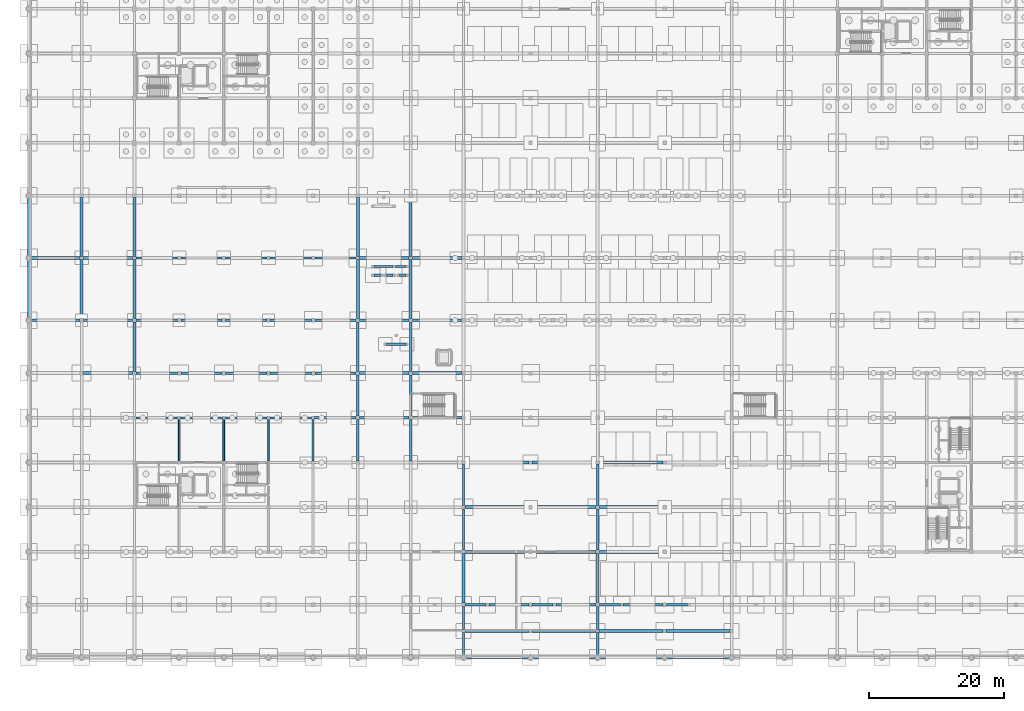
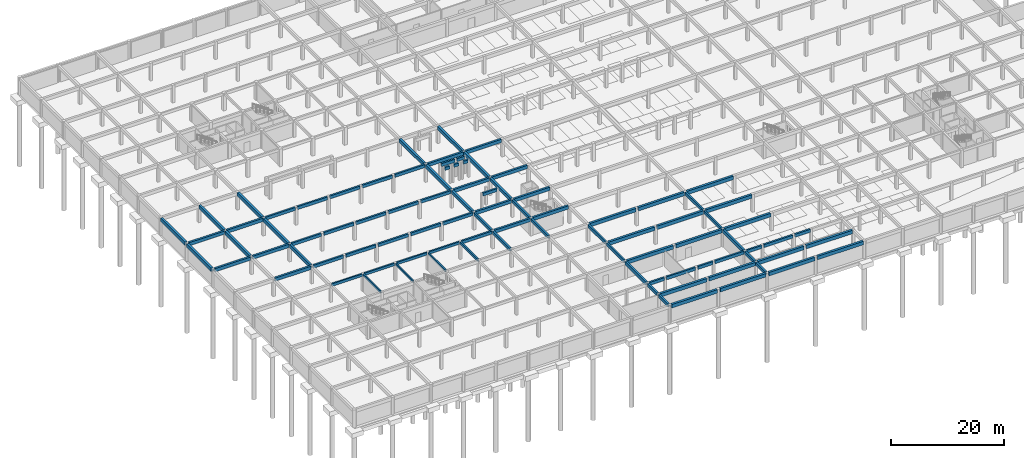
# One storey, part 16 of 37: 94 beams.
"""IFC4 building model written with IfcOpenShell, lengths in metres."""

from ifc_helpers import new_model, si_unit, direction, frame, origin, origin_2d, place, context, subcontext, project, spatial, rectangle, extrude, material, material_profile, profile_set, type_object, element, save


model = new_model("IFC4")

# Units and contexts
model_context = context("Model", 3, precision=1e-05, world=origin(), true_north=direction((0.0, 1.0)))
body_context = subcontext(model_context, "Body", "Model", "MODEL_VIEW")
ifc_project = project(units=[si_unit("LENGTHUNIT", "METRE"), si_unit("AREAUNIT", "SQUARE_METRE"), si_unit("VOLUMEUNIT", "CUBIC_METRE"), si_unit("PLANEANGLEUNIT", "RADIAN"), si_unit("MASSUNIT", "GRAM", prefix="KILO")], contexts=[model_context])

# Site, building, storey
site_placement = place(None, origin())
site = spatial("IfcSite", under=ifc_project, at=site_placement, CompositionType="ELEMENT")
building_placement = place(site_placement, origin())
building = spatial("IfcBuilding", under=site, at=building_placement, Name="Kernevlak Ridge Housing Community", CompositionType="ELEMENT")
storey_placement = place(building_placement, frame((0.0, 0.0, -3.800048828125)))
storey = spatial("IfcBuildingStorey", under=building, at=storey_placement, Name="B1", CompositionType="ELEMENT", Elevation=-3.800048828125)

# Beams
ifc_material = material(Name="Concrete C35/45", Category="concrete")
ifc_material_profile_1 = material_profile(ifc_material, rectangle(XDim=0.39990234375, YDim=0.699951171875, at=origin_2d()), Name="RC 400x700")
ifc_profile_set_1 = profile_set([ifc_material_profile_1], Name="Concrete C35/45")
beam_type_1 = type_object("IfcBeamType", Name="B-01", PredefinedType="BEAM", material=ifc_profile_set_1)
beam_1_placement = place(storey_placement, frame((48.85009765625, 35.39990234375, 3.449951171875), z_axis=(1.0, 0.0, 0.0), x_axis=(0.0, 1.0, 0.0)))
element("IfcBeam", 1, at=beam_1_placement, inside=storey, type_object=beam_type_1, Name="Beam B-01 B1 1630", PredefinedType="BEAM", context=body_context, shape_type="SweptSolid", body=[
    extrude(rectangle(XDim=0.39990234375, YDim=0.699951171875, at=origin_2d()), origin(), (0.0, 0.0, 1.0), 7.2998046875),
])
for number, where, z_axis, x_axis, name in (
    (2, (56.64990234375, 35.39990234375, 3.449951171875), (1.0, 0.0, 0.0), (0.0, 1.0, 0.0), "Beam B-01 B1 1631"),
    (3, (8.050048828125, 42.0, 3.449951171875), (1.0, 0.0, 0.0), (0.0, 1.0, 0.0), "Beam B-01 B1 1642"),
):
    element("IfcBeam", number, at=place(storey_placement, frame(where, z_axis=z_axis, x_axis=x_axis)), inside=storey, type_object=beam_type_1, Name=name, PredefinedType="BEAM", context=body_context, shape_type="SweptSolid", body=[
        extrude(rectangle(XDim=0.39990234375, YDim=0.699951171875, at=origin_2d()), origin(), (0.0, 0.0, 1.0), 7.300048828125),
    ])
beam_2_placement = place(storey_placement, frame((48.85009765625, 42.0, 3.449951171875), z_axis=(1.0, 0.0, 0.0), x_axis=(0.0, 1.0, 0.0)))
element("IfcBeam", 4, at=beam_2_placement, inside=storey, type_object=beam_type_1, Name="Beam B-01 B1 1648", PredefinedType="BEAM", context=body_context, shape_type="SweptSolid", body=[
    extrude(rectangle(XDim=0.39990234375, YDim=0.699951171875, at=origin_2d()), origin(), (0.0, 0.0, 1.0), 7.2998046875),
])
beam_3_placement = place(storey_placement, frame((56.64990234375, 42.0, 3.449951171875), z_axis=(1.0, 0.0, 0.0), x_axis=(0.0, 1.0, 0.0)))
element("IfcBeam", 5, at=beam_3_placement, inside=storey, type_object=beam_type_1, Name="Beam B-01 B1 1649", PredefinedType="BEAM", context=body_context, shape_type="SweptSolid", body=[
    extrude(rectangle(XDim=0.39990234375, YDim=0.699951171875, at=origin_2d()), origin(), (0.0, 0.0, 1.0), 7.300048828125),
])
beam_4_placement = place(storey_placement, frame((0.300048828125, 49.800048828125, 3.449951171875), z_axis=(1.0, 0.0, 0.0), x_axis=(0.0, 1.0, 0.0)))
element("IfcBeam", 6, at=beam_4_placement, inside=storey, type_object=beam_type_1, Name="Beam B-01 B1 1660", PredefinedType="BEAM", context=body_context, shape_type="SweptSolid", body=[
    extrude(rectangle(XDim=0.39990234375, YDim=0.699951171875, at=origin_2d()), origin(), (0.0, 0.0, 1.0), 7.25),
])
beam_5_placement = place(storey_placement, frame((8.050048828125, 49.800048828125, 3.449951171875), z_axis=(1.0, 0.0, 0.0), x_axis=(0.0, 1.0, 0.0)))
element("IfcBeam", 7, at=beam_5_placement, inside=storey, type_object=beam_type_1, Name="Beam B-01 B1 1661", PredefinedType="BEAM", context=body_context, shape_type="SweptSolid", body=[
    extrude(rectangle(XDim=0.39990234375, YDim=0.699951171875, at=origin_2d()), origin(), (0.0, 0.0, 1.0), 7.300048828125),
])
beam_6_placement = place(storey_placement, frame((48.85009765625, 49.800048828125, 3.449951171875), z_axis=(1.0, 0.0, 0.0), x_axis=(0.0, 1.0, 0.0)))
element("IfcBeam", 8, at=beam_6_placement, inside=storey, type_object=beam_type_1, Name="Beam B-01 B1 1667", PredefinedType="BEAM", context=body_context, shape_type="SweptSolid", body=[
    extrude(rectangle(XDim=0.39990234375, YDim=0.699951171875, at=origin_2d()), origin(), (0.0, 0.0, 1.0), 7.2998046875),
])
beam_7_placement = place(storey_placement, frame((56.64990234375, 49.800048828125, 3.449951171875), z_axis=(1.0, 0.0, 0.0), x_axis=(0.0, 1.0, 0.0)))
element("IfcBeam", 9, at=beam_7_placement, inside=storey, type_object=beam_type_1, Name="Beam B-01 B1 1668", PredefinedType="BEAM", context=body_context, shape_type="SweptSolid", body=[
    extrude(rectangle(XDim=0.39990234375, YDim=0.699951171875, at=origin_2d()), origin(), (0.0, 0.0, 1.0), 7.275146484375),
])
beam_8_placement = place(storey_placement, frame((0.300048828125, 59.0, 3.449951171875), z_axis=(1.0, 0.0, 0.0), x_axis=(0.0, 1.0, 0.0)))
element("IfcBeam", 10, at=beam_8_placement, inside=storey, type_object=beam_type_1, Name="Beam B-01 B1 1690", PredefinedType="BEAM", context=body_context, shape_type="SweptSolid", body=[
    extrude(rectangle(XDim=0.39990234375, YDim=0.699951171875, at=origin_2d()), origin(), (0.0, 0.0, 1.0), 7.25),
])
beam_9_placement = place(storey_placement, frame((8.050048828125, 59.0, 3.449951171875), z_axis=(1.0, 0.0, 0.0), x_axis=(0.0, 1.0, 0.0)))
element("IfcBeam", 11, at=beam_9_placement, inside=storey, type_object=beam_type_1, Name="Beam B-01 B1 1691", PredefinedType="BEAM", context=body_context, shape_type="SweptSolid", body=[
    extrude(rectangle(XDim=0.39990234375, YDim=0.699951171875, at=origin_2d()), origin(), (0.0, 0.0, 1.0), 7.300048828125),
])
beam_10_placement = place(storey_placement, frame((48.85009765625, 59.0, 3.449951171875), z_axis=(1.0, 0.0, 0.0), x_axis=(0.0, 1.0, 0.0)))
element("IfcBeam", 12, at=beam_10_placement, inside=storey, type_object=beam_type_1, Name="Beam B-01 B1 1697", PredefinedType="BEAM", context=body_context, shape_type="SweptSolid", body=[
    extrude(rectangle(XDim=0.39990234375, YDim=0.699951171875, at=origin_2d()), origin(), (0.0, 0.0, 1.0), 7.2998046875),
])
for number, where, z_axis, x_axis, name in (
    (13, (56.64990234375, 59.0, 3.449951171875), (1.0, 0.0, 0.0), (0.0, 1.0, 0.0), "Beam B-01 B1 1698"),
    (14, (15.60009765625, 42.25, 3.449951171875), (0.0, 1.0, 0.0), (-1.0, 0.0, 0.0), "Beam B-01 B1 1881"),
    (15, (48.60009765625, 42.25, 3.449951171875), (0.0, 1.0, 0.0), (-1.0, 0.0, 0.0), "Beam B-01 B1 1894"),
    (16, (56.39990234375, 42.25, 3.449951171875), (0.0, 1.0, 0.0), (-1.0, 0.0, 0.0), "Beam B-01 B1 1907"),
    (17, (64.199951171875, 8.050048828125, 3.449951171875), (0.0, 1.0, 0.0), (-1.0, 0.0, 0.0), "Beam B-01 B1 1919"),
    (18, (84.0, 8.050048828125, 3.449951171875), (0.0, 1.0, 0.0), (-1.0, 0.0, 0.0), "Beam B-01 B1 1936"),
):
    element("IfcBeam", number, at=place(storey_placement, frame(where, z_axis=z_axis, x_axis=x_axis)), inside=storey, type_object=beam_type_1, Name=name, PredefinedType="BEAM", context=body_context, shape_type="SweptSolid", body=[
        extrude(rectangle(XDim=0.39990234375, YDim=0.699951171875, at=origin_2d()), origin(), (0.0, 0.0, 1.0), 7.300048828125),
    ])
ifc_material_profile_2 = material_profile(ifc_material, rectangle(XDim=0.35009765625, YDim=0.64990234375, at=origin_2d()), Name="RC 350x650")
ifc_profile_set_2 = profile_set([ifc_material_profile_2], Name="Concrete C35/45")
beam_type_2 = type_object("IfcBeamType", Name="B-02", PredefinedType="BEAM", material=ifc_profile_set_2)
beam_11_placement = place(storey_placement, frame((64.449951171875, 7.800048828125, 3.47509765625), z_axis=(1.0, 0.0, 0.0), x_axis=(0.0, 1.0, 0.0)))
element("IfcBeam", 19, at=beam_11_placement, inside=storey, type_object=beam_type_2, Name="Beam B-02 B1 1568", PredefinedType="BEAM", context=body_context, shape_type="SweptSolid", body=[
    extrude(rectangle(XDim=0.35009765625, YDim=0.64990234375, at=origin_2d()), origin(), (0.0, 0.0, 1.0), 3.10009765625),
])
beam_12_placement = place(storey_placement, frame((67.949951171875, 7.800048828125, 3.47509765625), z_axis=(1.0, 0.0, 0.0), x_axis=(0.0, 1.0, 0.0)))
element("IfcBeam", 20, at=beam_12_placement, inside=storey, type_object=beam_type_2, Name="Beam B-02 B1 1569", PredefinedType="BEAM", context=body_context, shape_type="SweptSolid", body=[
    extrude(rectangle(XDim=0.35009765625, YDim=0.64990234375, at=origin_2d()), origin(), (0.0, 0.0, 1.0), 5.900146484375),
])
beam_13_placement = place(storey_placement, frame((74.35009765625, 7.800048828125, 3.47509765625), z_axis=(1.0, 0.0, 0.0), x_axis=(0.0, 1.0, 0.0)))
element("IfcBeam", 21, at=beam_13_placement, inside=storey, type_object=beam_type_2, Name="Beam B-02 B1 1570", PredefinedType="BEAM", context=body_context, shape_type="SweptSolid", body=[
    extrude(rectangle(XDim=0.35009765625, YDim=0.64990234375, at=origin_2d()), origin(), (0.0, 0.0, 1.0), 3.099853515625),
])
beam_14_placement = place(storey_placement, frame((77.85009765625, 7.800048828125, 3.47509765625), z_axis=(1.0, 0.0, 0.0), x_axis=(0.0, 1.0, 0.0)))
element("IfcBeam", 22, at=beam_14_placement, inside=storey, type_object=beam_type_2, Name="Beam B-02 B1 1571", PredefinedType="BEAM", context=body_context, shape_type="SweptSolid", body=[
    extrude(rectangle(XDim=0.35009765625, YDim=0.64990234375, at=origin_2d()), origin(), (0.0, 0.0, 1.0), 5.89990234375),
])
beam_15_placement = place(storey_placement, frame((84.25, 7.800048828125, 3.47509765625), z_axis=(1.0, 0.0, 0.0), x_axis=(0.0, 1.0, 0.0)))
element("IfcBeam", 23, at=beam_15_placement, inside=storey, type_object=beam_type_2, Name="Beam B-02 B1 1572", PredefinedType="BEAM", context=body_context, shape_type="SweptSolid", body=[
    extrude(rectangle(XDim=0.35009765625, YDim=0.64990234375, at=origin_2d()), origin(), (0.0, 0.0, 1.0), 3.10009765625),
])
beam_16_placement = place(storey_placement, frame((87.75, 7.800048828125, 3.47509765625), z_axis=(1.0, 0.0, 0.0), x_axis=(0.0, 1.0, 0.0)))
element("IfcBeam", 24, at=beam_16_placement, inside=storey, type_object=beam_type_2, Name="Beam B-02 B1 1573", PredefinedType="BEAM", context=body_context, shape_type="SweptSolid", body=[
    extrude(rectangle(XDim=0.35009765625, YDim=0.64990234375, at=origin_2d()), origin(), (0.0, 0.0, 1.0), 5.89990234375),
])
beam_17_placement = place(storey_placement, frame((94.14990234375, 7.800048828125, 3.47509765625), z_axis=(1.0, 0.0, 0.0), x_axis=(0.0, 1.0, 0.0)))
element("IfcBeam", 25, at=beam_17_placement, inside=storey, type_object=beam_type_2, Name="Beam B-02 B1 1574", PredefinedType="BEAM", context=body_context, shape_type="SweptSolid", body=[
    extrude(rectangle(XDim=0.35009765625, YDim=0.64990234375, at=origin_2d()), origin(), (0.0, 0.0, 1.0), 3.10009765625),
])
beam_18_placement = place(storey_placement, frame((42.22509765625, 35.39990234375, 3.47509765625), z_axis=(1.0, 0.0, 0.0), x_axis=(0.0, 1.0, 0.0)))
element("IfcBeam", 26, at=beam_18_placement, inside=storey, type_object=beam_type_2, Name="Beam B-02 B1 1629", PredefinedType="BEAM", context=body_context, shape_type="SweptSolid", body=[
    extrude(rectangle(XDim=0.35009765625, YDim=0.64990234375, at=origin_2d()), origin(), (0.0, 0.0, 1.0), 6.125),
])
beam_19_placement = place(storey_placement, frame((15.85009765625, 42.0, 3.47509765625), z_axis=(1.0, 0.0, 0.0), x_axis=(0.0, 1.0, 0.0)))
element("IfcBeam", 27, at=beam_19_placement, inside=storey, type_object=beam_type_2, Name="Beam B-02 B1 1643", PredefinedType="BEAM", context=body_context, shape_type="SweptSolid", body=[
    extrude(rectangle(XDim=0.35009765625, YDim=0.64990234375, at=origin_2d()), origin(), (0.0, 0.0, 1.0), 6.099853515625),
])
beam_20_placement = place(storey_placement, frame((22.449951171875, 42.0, 3.47509765625), z_axis=(1.0, 0.0, 0.0), x_axis=(0.0, 1.0, 0.0)))
element("IfcBeam", 28, at=beam_20_placement, inside=storey, type_object=beam_type_2, Name="Beam B-02 B1 1644", PredefinedType="BEAM", context=body_context, shape_type="SweptSolid", body=[
    extrude(rectangle(XDim=0.35009765625, YDim=0.64990234375, at=origin_2d()), origin(), (0.0, 0.0, 1.0), 6.10009765625),
])
beam_21_placement = place(storey_placement, frame((29.050048828125, 42.0, 3.47509765625), z_axis=(1.0, 0.0, 0.0), x_axis=(0.0, 1.0, 0.0)))
element("IfcBeam", 29, at=beam_21_placement, inside=storey, type_object=beam_type_2, Name="Beam B-02 B1 1645", PredefinedType="BEAM", context=body_context, shape_type="SweptSolid", body=[
    extrude(rectangle(XDim=0.35009765625, YDim=0.64990234375, at=origin_2d()), origin(), (0.0, 0.0, 1.0), 6.099853515625),
])
for number, where, z_axis, x_axis, name in (
    (30, (35.64990234375, 42.0, 3.47509765625), (1.0, 0.0, 0.0), (0.0, 1.0, 0.0), "Beam B-02 B1 1646"),
    (31, (42.25, 42.0, 3.47509765625), (1.0, 0.0, 0.0), (0.0, 1.0, 0.0), "Beam B-02 B1 1647"),
):
    element("IfcBeam", number, at=place(storey_placement, frame(where, z_axis=z_axis, x_axis=x_axis)), inside=storey, type_object=beam_type_2, Name=name, PredefinedType="BEAM", context=body_context, shape_type="SweptSolid", body=[
        extrude(rectangle(XDim=0.35009765625, YDim=0.64990234375, at=origin_2d()), origin(), (0.0, 0.0, 1.0), 6.10009765625),
    ])
beam_22_placement = place(storey_placement, frame((52.824951171875, 46.25, 3.47509765625), z_axis=(1.0, 0.0, 0.0), x_axis=(0.0, 1.0, 0.0)))
element("IfcBeam", 32, at=beam_22_placement, inside=storey, type_object=beam_type_2, Name="Beam B-02 B1 1659", PredefinedType="BEAM", context=body_context, shape_type="SweptSolid", body=[
    extrude(rectangle(XDim=0.35009765625, YDim=0.64990234375, at=origin_2d()), origin(), (0.0, 0.0, 1.0), 2.85009765625),
])
beam_23_placement = place(storey_placement, frame((15.85009765625, 49.800048828125, 3.47509765625), z_axis=(1.0, 0.0, 0.0), x_axis=(0.0, 1.0, 0.0)))
element("IfcBeam", 33, at=beam_23_placement, inside=storey, type_object=beam_type_2, Name="Beam B-02 B1 1662", PredefinedType="BEAM", context=body_context, shape_type="SweptSolid", body=[
    extrude(rectangle(XDim=0.35009765625, YDim=0.64990234375, at=origin_2d()), origin(), (0.0, 0.0, 1.0), 6.099853515625),
])
beam_24_placement = place(storey_placement, frame((22.449951171875, 49.800048828125, 3.47509765625), z_axis=(1.0, 0.0, 0.0), x_axis=(0.0, 1.0, 0.0)))
element("IfcBeam", 34, at=beam_24_placement, inside=storey, type_object=beam_type_2, Name="Beam B-02 B1 1663", PredefinedType="BEAM", context=body_context, shape_type="SweptSolid", body=[
    extrude(rectangle(XDim=0.35009765625, YDim=0.64990234375, at=origin_2d()), origin(), (0.0, 0.0, 1.0), 6.10009765625),
])
beam_25_placement = place(storey_placement, frame((29.050048828125, 49.800048828125, 3.47509765625), z_axis=(1.0, 0.0, 0.0), x_axis=(0.0, 1.0, 0.0)))
element("IfcBeam", 35, at=beam_25_placement, inside=storey, type_object=beam_type_2, Name="Beam B-02 B1 1664", PredefinedType="BEAM", context=body_context, shape_type="SweptSolid", body=[
    extrude(rectangle(XDim=0.35009765625, YDim=0.64990234375, at=origin_2d()), origin(), (0.0, 0.0, 1.0), 6.099853515625),
])
for number, where, z_axis, x_axis, name in (
    (36, (35.64990234375, 49.800048828125, 3.47509765625), (1.0, 0.0, 0.0), (0.0, 1.0, 0.0), "Beam B-02 B1 1665"),
    (37, (42.25, 49.800048828125, 3.47509765625), (1.0, 0.0, 0.0), (0.0, 1.0, 0.0), "Beam B-02 B1 1666"),
):
    element("IfcBeam", number, at=place(storey_placement, frame(where, z_axis=z_axis, x_axis=x_axis)), inside=storey, type_object=beam_type_2, Name=name, PredefinedType="BEAM", context=body_context, shape_type="SweptSolid", body=[
        extrude(rectangle(XDim=0.35009765625, YDim=0.64990234375, at=origin_2d()), origin(), (0.0, 0.0, 1.0), 6.10009765625),
    ])
for number, where, z_axis, x_axis, name in (
    (38, (50.97509765625, 56.449951171875, 3.47509765625), (1.0, 0.0, 0.0), (0.0, 1.0, 0.0), "Beam B-02 B1 1685"),
    (39, (52.824951171875, 56.449951171875, 3.47509765625), (1.0, 0.0, 0.0), (0.0, 1.0, 0.0), "Beam B-02 B1 1686"),
    (40, (54.72509765625, 56.449951171875, 3.47509765625), (1.0, 0.0, 0.0), (0.0, 1.0, 0.0), "Beam B-02 B1 1687"),
):
    element("IfcBeam", number, at=place(storey_placement, frame(where, z_axis=z_axis, x_axis=x_axis)), inside=storey, type_object=beam_type_2, Name=name, PredefinedType="BEAM", context=body_context, shape_type="SweptSolid", body=[
        extrude(rectangle(XDim=0.35009765625, YDim=0.64990234375, at=origin_2d()), origin(), (0.0, 0.0, 1.0), 0.949951171875),
    ])
beam_26_placement = place(storey_placement, frame((50.97509765625, 57.75, 3.47509765625), z_axis=(1.0, 0.0, 0.0), x_axis=(0.0, 1.0, 0.0)))
element("IfcBeam", 41, at=beam_26_placement, inside=storey, type_object=beam_type_2, Name="Beam B-02 B1 1688", PredefinedType="BEAM", context=body_context, shape_type="SweptSolid", body=[
    extrude(rectangle(XDim=0.35009765625, YDim=0.64990234375, at=origin_2d()), origin(), (0.0, 0.0, 1.0), 2.7998046875),
])
beam_27_placement = place(storey_placement, frame((54.125, 57.75, 3.47509765625), z_axis=(1.0, 0.0, 0.0), x_axis=(0.0, 1.0, 0.0)))
element("IfcBeam", 42, at=beam_27_placement, inside=storey, type_object=beam_type_2, Name="Beam B-02 B1 1689", PredefinedType="BEAM", context=body_context, shape_type="SweptSolid", body=[
    extrude(rectangle(XDim=0.35009765625, YDim=0.64990234375, at=origin_2d()), origin(), (0.0, 0.0, 1.0), 1.550048828125),
])
beam_28_placement = place(storey_placement, frame((15.85009765625, 59.0, 3.47509765625), z_axis=(1.0, 0.0, 0.0), x_axis=(0.0, 1.0, 0.0)))
element("IfcBeam", 43, at=beam_28_placement, inside=storey, type_object=beam_type_2, Name="Beam B-02 B1 1692", PredefinedType="BEAM", context=body_context, shape_type="SweptSolid", body=[
    extrude(rectangle(XDim=0.35009765625, YDim=0.64990234375, at=origin_2d()), origin(), (0.0, 0.0, 1.0), 6.099853515625),
])
beam_29_placement = place(storey_placement, frame((22.449951171875, 59.0, 3.47509765625), z_axis=(1.0, 0.0, 0.0), x_axis=(0.0, 1.0, 0.0)))
element("IfcBeam", 44, at=beam_29_placement, inside=storey, type_object=beam_type_2, Name="Beam B-02 B1 1693", PredefinedType="BEAM", context=body_context, shape_type="SweptSolid", body=[
    extrude(rectangle(XDim=0.35009765625, YDim=0.64990234375, at=origin_2d()), origin(), (0.0, 0.0, 1.0), 6.10009765625),
])
beam_30_placement = place(storey_placement, frame((29.050048828125, 59.0, 3.47509765625), z_axis=(1.0, 0.0, 0.0), x_axis=(0.0, 1.0, 0.0)))
element("IfcBeam", 45, at=beam_30_placement, inside=storey, type_object=beam_type_2, Name="Beam B-02 B1 1694", PredefinedType="BEAM", context=body_context, shape_type="SweptSolid", body=[
    extrude(rectangle(XDim=0.35009765625, YDim=0.64990234375, at=origin_2d()), origin(), (0.0, 0.0, 1.0), 6.099853515625),
])
for number, where, z_axis, x_axis, name in (
    (46, (35.64990234375, 59.0, 3.47509765625), (1.0, 0.0, 0.0), (0.0, 1.0, 0.0), "Beam B-02 B1 1695"),
    (47, (42.25, 59.0, 3.47509765625), (1.0, 0.0, 0.0), (0.0, 1.0, 0.0), "Beam B-02 B1 1696"),
):
    element("IfcBeam", number, at=place(storey_placement, frame(where, z_axis=z_axis, x_axis=x_axis)), inside=storey, type_object=beam_type_2, Name=name, PredefinedType="BEAM", context=body_context, shape_type="SweptSolid", body=[
        extrude(rectangle(XDim=0.35009765625, YDim=0.64990234375, at=origin_2d()), origin(), (0.0, 0.0, 1.0), 6.10009765625),
    ])
beam_31_placement = place(storey_placement, frame((48.60009765625, 29.050048828125, 3.47509765625), z_axis=(0.0, 1.0, 0.0), x_axis=(-1.0, 0.0, 0.0)))
element("IfcBeam", 48, at=beam_31_placement, inside=storey, type_object=beam_type_2, Name="Beam B-02 B1 1892", PredefinedType="BEAM", context=body_context, shape_type="SweptSolid", body=[
    extrude(rectangle(XDim=0.35009765625, YDim=0.64990234375, at=origin_2d()), origin(), (0.0, 0.0, 1.0), 6.099853515625),
])
beam_32_placement = place(storey_placement, frame((48.60009765625, 35.64990234375, 3.47509765625), z_axis=(0.0, 1.0, 0.0), x_axis=(-1.0, 0.0, 0.0)))
element("IfcBeam", 49, at=beam_32_placement, inside=storey, type_object=beam_type_2, Name="Beam B-02 B1 1893", PredefinedType="BEAM", context=body_context, shape_type="SweptSolid", body=[
    extrude(rectangle(XDim=0.35009765625, YDim=0.64990234375, at=origin_2d()), origin(), (0.0, 0.0, 1.0), 6.10009765625),
])
beam_33_placement = place(storey_placement, frame((56.39990234375, 29.050048828125, 3.47509765625), z_axis=(0.0, 1.0, 0.0), x_axis=(-1.0, 0.0, 0.0)))
element("IfcBeam", 50, at=beam_33_placement, inside=storey, type_object=beam_type_2, Name="Beam B-02 B1 1905", PredefinedType="BEAM", context=body_context, shape_type="SweptSolid", body=[
    extrude(rectangle(XDim=0.35009765625, YDim=0.64990234375, at=origin_2d()), origin(), (0.0, 0.0, 1.0), 6.099853515625),
])
beam_34_placement = place(storey_placement, frame((56.39990234375, 35.64990234375, 3.47509765625), z_axis=(0.0, 1.0, 0.0), x_axis=(-1.0, 0.0, 0.0)))
element("IfcBeam", 51, at=beam_34_placement, inside=storey, type_object=beam_type_2, Name="Beam B-02 B1 1906", PredefinedType="BEAM", context=body_context, shape_type="SweptSolid", body=[
    extrude(rectangle(XDim=0.35009765625, YDim=0.64990234375, at=origin_2d()), origin(), (0.0, 0.0, 1.0), 6.10009765625),
])
beam_35_placement = place(storey_placement, frame((64.199951171875, 0.300048828125, 3.47509765625), z_axis=(0.0, 1.0, 0.0), x_axis=(-1.0, 0.0, 0.0)))
element("IfcBeam", 52, at=beam_35_placement, inside=storey, type_object=beam_type_2, Name="Beam B-02 B1 1917", PredefinedType="BEAM", context=body_context, shape_type="SweptSolid", body=[
    extrude(rectangle(XDim=0.35009765625, YDim=0.64990234375, at=origin_2d()), origin(), (0.0, 0.0, 1.0), 3.375),
])
beam_36_placement = place(storey_placement, frame((64.199951171875, 4.125, 3.47509765625), z_axis=(0.0, 1.0, 0.0), x_axis=(-1.0, 0.0, 0.0)))
element("IfcBeam", 53, at=beam_36_placement, inside=storey, type_object=beam_type_2, Name="Beam B-02 B1 1918", PredefinedType="BEAM", context=body_context, shape_type="SweptSolid", body=[
    extrude(rectangle(XDim=0.35009765625, YDim=0.64990234375, at=origin_2d()), origin(), (0.0, 0.0, 1.0), 3.425048828125),
])
beam_37_placement = place(storey_placement, frame((64.199951171875, 15.85009765625, 3.47509765625), z_axis=(0.0, 1.0, 0.0), x_axis=(-1.0, 0.0, 0.0)))
element("IfcBeam", 54, at=beam_37_placement, inside=storey, type_object=beam_type_2, Name="Beam B-02 B1 1920", PredefinedType="BEAM", context=body_context, shape_type="SweptSolid", body=[
    extrude(rectangle(XDim=0.35009765625, YDim=0.64990234375, at=origin_2d()), origin(), (0.0, 0.0, 1.0), 6.099853515625),
])
beam_38_placement = place(storey_placement, frame((64.199951171875, 22.449951171875, 3.47509765625), z_axis=(0.0, 1.0, 0.0), x_axis=(-1.0, 0.0, 0.0)))
element("IfcBeam", 55, at=beam_38_placement, inside=storey, type_object=beam_type_2, Name="Beam B-02 B1 1921", PredefinedType="BEAM", context=body_context, shape_type="SweptSolid", body=[
    extrude(rectangle(XDim=0.35009765625, YDim=0.64990234375, at=origin_2d()), origin(), (0.0, 0.0, 1.0), 6.10009765625),
])
beam_39_placement = place(storey_placement, frame((84.0, 0.300048828125, 3.47509765625), z_axis=(0.0, 1.0, 0.0), x_axis=(-1.0, 0.0, 0.0)))
element("IfcBeam", 56, at=beam_39_placement, inside=storey, type_object=beam_type_2, Name="Beam B-02 B1 1934", PredefinedType="BEAM", context=body_context, shape_type="SweptSolid", body=[
    extrude(rectangle(XDim=0.35009765625, YDim=0.64990234375, at=origin_2d()), origin(), (0.0, 0.0, 1.0), 3.375),
])
beam_40_placement = place(storey_placement, frame((84.0, 4.125, 3.47509765625), z_axis=(0.0, 1.0, 0.0), x_axis=(-1.0, 0.0, 0.0)))
element("IfcBeam", 57, at=beam_40_placement, inside=storey, type_object=beam_type_2, Name="Beam B-02 B1 1935", PredefinedType="BEAM", context=body_context, shape_type="SweptSolid", body=[
    extrude(rectangle(XDim=0.35009765625, YDim=0.64990234375, at=origin_2d()), origin(), (0.0, 0.0, 1.0), 3.425048828125),
])
beam_41_placement = place(storey_placement, frame((84.0, 15.85009765625, 3.47509765625), z_axis=(0.0, 1.0, 0.0), x_axis=(-1.0, 0.0, 0.0)))
element("IfcBeam", 58, at=beam_41_placement, inside=storey, type_object=beam_type_2, Name="Beam B-02 B1 1937", PredefinedType="BEAM", context=body_context, shape_type="SweptSolid", body=[
    extrude(rectangle(XDim=0.35009765625, YDim=0.64990234375, at=origin_2d()), origin(), (0.0, 0.0, 1.0), 6.099853515625),
])
beam_42_placement = place(storey_placement, frame((84.0, 22.449951171875, 3.47509765625), z_axis=(0.0, 1.0, 0.0), x_axis=(-1.0, 0.0, 0.0)))
element("IfcBeam", 59, at=beam_42_placement, inside=storey, type_object=beam_type_2, Name="Beam B-02 B1 1938", PredefinedType="BEAM", context=body_context, shape_type="SweptSolid", body=[
    extrude(rectangle(XDim=0.35009765625, YDim=0.64990234375, at=origin_2d()), origin(), (0.0, 0.0, 1.0), 6.10009765625),
])
ifc_material_profile_3 = material_profile(ifc_material, rectangle(XDim=0.25, YDim=0.449951171875, at=origin_2d()), Name="RC 250x450")
ifc_profile_set_3 = profile_set([ifc_material_profile_3], Name="Concrete C35/45")
beam_type_3 = type_object("IfcBeamType", Name="B-04", PredefinedType="T_BEAM", material=ifc_profile_set_3)
for number, where, z_axis, x_axis, name in (
    (60, (22.199951171875, 29.02490234375, 3.574951171875), (0.0, 1.0, 0.0), (-1.0, 0.0, 0.0), "Beam B-04 B1 1299"),
    (61, (28.800048828125, 29.02490234375, 3.574951171875), (0.0, 1.0, 0.0), (-1.0, 0.0, 0.0), "Beam B-04 B1 1302"),
    (62, (35.39990234375, 29.02490234375, 3.574951171875), (0.0, 1.0, 0.0), (-1.0, 0.0, 0.0), "Beam B-04 B1 1304"),
):
    element("IfcBeam", number, at=place(storey_placement, frame(where, z_axis=z_axis, x_axis=x_axis)), inside=storey, type_object=beam_type_3, Name=name, PredefinedType="T_BEAM", context=body_context, shape_type="SweptSolid", body=[
        extrude(rectangle(XDim=0.25, YDim=0.449951171875, at=origin_2d()), origin(), (0.0, 0.0, 1.0), 6.150146484375),
    ])
ifc_material_profile_4 = material_profile(ifc_material, rectangle(XDim=0.449951171875, YDim=0.75, at=origin_2d()), Name="RC 450x750")
ifc_profile_set_4 = profile_set([ifc_material_profile_4], Name="Concrete C35/45")
beam_type_4 = type_object("IfcBeamType", Name="B-05", PredefinedType="BEAM", material=ifc_profile_set_4)
for number, where, z_axis, x_axis, name in (
    (63, (64.5, 0.0, 3.425048828125), (1.0, 0.0, 0.0), (0.0, 1.0, 0.0), "Beam B-05 B1 1542"),
    (64, (74.39990234375, 0.0, 3.425048828125), (1.0, 0.0, 0.0), (0.0, 1.0, 0.0), "Beam B-05 B1 1543"),
    (65, (84.300048828125, 0.0, 3.425048828125), (1.0, 0.0, 0.0), (0.0, 1.0, 0.0), "Beam B-05 B1 1544"),
    (66, (94.199951171875, 0.0, 3.425048828125), (1.0, 0.0, 0.0), (0.0, 1.0, 0.0), "Beam B-05 B1 1545"),
):
    element("IfcBeam", number, at=place(storey_placement, frame(where, z_axis=z_axis, x_axis=x_axis)), inside=storey, type_object=beam_type_4, Name=name, PredefinedType="BEAM", context=body_context, shape_type="SweptSolid", body=[
        extrude(rectangle(XDim=0.449951171875, YDim=0.75, at=origin_2d()), origin(), (0.0, 0.0, 1.0), 9.300048828125),
    ])
for number, where, z_axis, x_axis, name in (
    (67, (64.425048828125, 3.89990234375, 3.425048828125), (1.0, 0.0, 0.0), (0.0, 1.0, 0.0), "Beam B-05 B1 1554"),
    (68, (74.324951171875, 3.89990234375, 3.425048828125), (1.0, 0.0, 0.0), (0.0, 1.0, 0.0), "Beam B-05 B1 1555"),
    (69, (84.22509765625, 3.89990234375, 3.425048828125), (1.0, 0.0, 0.0), (0.0, 1.0, 0.0), "Beam B-05 B1 1556"),
    (70, (94.125, 3.89990234375, 3.425048828125), (1.0, 0.0, 0.0), (0.0, 1.0, 0.0), "Beam B-05 B1 1557"),
):
    element("IfcBeam", number, at=place(storey_placement, frame(where, z_axis=z_axis, x_axis=x_axis)), inside=storey, type_object=beam_type_4, Name=name, PredefinedType="BEAM", context=body_context, shape_type="SweptSolid", body=[
        extrude(rectangle(XDim=0.449951171875, YDim=0.75, at=origin_2d()), origin(), (0.0, 0.0, 1.0), 9.449951171875),
    ])
beam_43_placement = place(storey_placement, frame((64.449951171875, 15.60009765625, 3.425048828125), z_axis=(1.0, 0.0, 0.0), x_axis=(0.0, 1.0, 0.0)))
element("IfcBeam", 71, at=beam_43_placement, inside=storey, type_object=beam_type_4, Name="Beam B-05 B1 1590", PredefinedType="BEAM", context=body_context, shape_type="SweptSolid", body=[
    extrude(rectangle(XDim=0.449951171875, YDim=0.75, at=origin_2d()), origin(), (0.0, 0.0, 1.0), 9.400146484375),
])
for number, where, z_axis, x_axis, name in (
    (72, (74.35009765625, 15.60009765625, 3.425048828125), (1.0, 0.0, 0.0), (0.0, 1.0, 0.0), "Beam B-05 B1 1591"),
    (73, (84.25, 15.60009765625, 3.425048828125), (1.0, 0.0, 0.0), (0.0, 1.0, 0.0), "Beam B-05 B1 1592"),
):
    element("IfcBeam", number, at=place(storey_placement, frame(where, z_axis=z_axis, x_axis=x_axis)), inside=storey, type_object=beam_type_4, Name=name, PredefinedType="BEAM", context=body_context, shape_type="SweptSolid", body=[
        extrude(rectangle(XDim=0.449951171875, YDim=0.75, at=origin_2d()), origin(), (0.0, 0.0, 1.0), 9.39990234375),
    ])
beam_44_placement = place(storey_placement, frame((64.449951171875, 22.199951171875, 3.425048828125), z_axis=(1.0, 0.0, 0.0), x_axis=(0.0, 1.0, 0.0)))
element("IfcBeam", 74, at=beam_44_placement, inside=storey, type_object=beam_type_4, Name="Beam B-05 B1 1604", PredefinedType="BEAM", context=body_context, shape_type="SweptSolid", body=[
    extrude(rectangle(XDim=0.449951171875, YDim=0.75, at=origin_2d()), origin(), (0.0, 0.0, 1.0), 9.400146484375),
])
for number, where, z_axis, x_axis, name in (
    (75, (74.35009765625, 22.199951171875, 3.425048828125), (1.0, 0.0, 0.0), (0.0, 1.0, 0.0), "Beam B-05 B1 1605"),
    (76, (84.25, 22.199951171875, 3.425048828125), (1.0, 0.0, 0.0), (0.0, 1.0, 0.0), "Beam B-05 B1 1606"),
):
    element("IfcBeam", number, at=place(storey_placement, frame(where, z_axis=z_axis, x_axis=x_axis)), inside=storey, type_object=beam_type_4, Name=name, PredefinedType="BEAM", context=body_context, shape_type="SweptSolid", body=[
        extrude(rectangle(XDim=0.449951171875, YDim=0.75, at=origin_2d()), origin(), (0.0, 0.0, 1.0), 9.39990234375),
    ])
beam_45_placement = place(storey_placement, frame((64.449951171875, 28.800048828125, 3.425048828125), z_axis=(1.0, 0.0, 0.0), x_axis=(0.0, 1.0, 0.0)))
element("IfcBeam", 77, at=beam_45_placement, inside=storey, type_object=beam_type_4, Name="Beam B-05 B1 1618", PredefinedType="BEAM", context=body_context, shape_type="SweptSolid", body=[
    extrude(rectangle(XDim=0.449951171875, YDim=0.75, at=origin_2d()), origin(), (0.0, 0.0, 1.0), 9.400146484375),
])
for number, where, z_axis, x_axis, name in (
    (78, (74.35009765625, 28.800048828125, 3.425048828125), (1.0, 0.0, 0.0), (0.0, 1.0, 0.0), "Beam B-05 B1 1619"),
    (79, (84.25, 28.800048828125, 3.425048828125), (1.0, 0.0, 0.0), (0.0, 1.0, 0.0), "Beam B-05 B1 1620"),
):
    element("IfcBeam", number, at=place(storey_placement, frame(where, z_axis=z_axis, x_axis=x_axis)), inside=storey, type_object=beam_type_4, Name=name, PredefinedType="BEAM", context=body_context, shape_type="SweptSolid", body=[
        extrude(rectangle(XDim=0.449951171875, YDim=0.75, at=origin_2d()), origin(), (0.0, 0.0, 1.0), 9.39990234375),
    ])
for number, where, z_axis, x_axis, name in (
    (80, (0.0, 50.10009765625, 3.425048828125), (0.0, 1.0, 0.0), (-1.0, 0.0, 0.0), "Beam B-05 B1 1853"),
    (81, (0.0, 59.300048828125, 3.425048828125), (0.0, 1.0, 0.0), (-1.0, 0.0, 0.0), "Beam B-05 B1 1854"),
):
    element("IfcBeam", number, at=place(storey_placement, frame(where, z_axis=z_axis, x_axis=x_axis)), inside=storey, type_object=beam_type_4, Name=name, PredefinedType="BEAM", context=body_context, shape_type="SweptSolid", body=[
        extrude(rectangle(XDim=0.449951171875, YDim=0.75, at=origin_2d()), origin(), (0.0, 0.0, 1.0), 8.599853515625),
    ])
for number, where, z_axis, x_axis, name in (
    (82, (7.800048828125, 50.050048828125, 3.425048828125), (0.0, 1.0, 0.0), (-1.0, 0.0, 0.0), "Beam B-05 B1 1869"),
    (83, (7.800048828125, 59.25, 3.425048828125), (0.0, 1.0, 0.0), (-1.0, 0.0, 0.0), "Beam B-05 B1 1870"),
    (84, (15.60009765625, 50.050048828125, 3.425048828125), (0.0, 1.0, 0.0), (-1.0, 0.0, 0.0), "Beam B-05 B1 1882"),
    (85, (15.60009765625, 59.25, 3.425048828125), (0.0, 1.0, 0.0), (-1.0, 0.0, 0.0), "Beam B-05 B1 1883"),
    (86, (48.60009765625, 50.050048828125, 3.425048828125), (0.0, 1.0, 0.0), (-1.0, 0.0, 0.0), "Beam B-05 B1 1895"),
    (87, (48.60009765625, 59.25, 3.425048828125), (0.0, 1.0, 0.0), (-1.0, 0.0, 0.0), "Beam B-05 B1 1896"),
    (88, (56.39990234375, 50.050048828125, 3.425048828125), (0.0, 1.0, 0.0), (-1.0, 0.0, 0.0), "Beam B-05 B1 1908"),
    (89, (56.39990234375, 59.25, 3.425048828125), (0.0, 1.0, 0.0), (-1.0, 0.0, 0.0), "Beam B-05 B1 1909"),
):
    element("IfcBeam", number, at=place(storey_placement, frame(where, z_axis=z_axis, x_axis=x_axis)), inside=storey, type_object=beam_type_4, Name=name, PredefinedType="BEAM", context=body_context, shape_type="SweptSolid", body=[
        extrude(rectangle(XDim=0.449951171875, YDim=0.75, at=origin_2d()), origin(), (0.0, 0.0, 1.0), 8.699951171875),
    ])
ifc_material_profile_5 = material_profile(ifc_material, rectangle(XDim=0.300048828125, YDim=0.550048828125, at=origin_2d()), Name="RC 300x550")
ifc_profile_set_5 = profile_set([ifc_material_profile_5], Name="Concrete C35/45")
beam_type_5 = type_object("IfcBeamType", Name="SP-01", PredefinedType="SPANDREL", material=ifc_profile_set_5)
beam_46_placement = place(storey_placement, frame((15.824951171875, 35.39990234375, 3.525146484375), z_axis=(1.0, 0.0, 0.0), x_axis=(0.0, 1.0, 0.0)))
element("IfcBeam", 90, at=beam_46_placement, inside=storey, type_object=beam_type_5, Name="Beam SP-01 B1 1291", PredefinedType="SPANDREL", context=body_context, shape_type="SweptSolid", body=[
    extrude(rectangle(XDim=0.300048828125, YDim=0.550048828125, at=origin_2d()), origin(), (0.0, 0.0, 1.0), 6.150146484375),
])
beam_47_placement = place(storey_placement, frame((22.425048828125, 35.39990234375, 3.525146484375), z_axis=(1.0, 0.0, 0.0), x_axis=(0.0, 1.0, 0.0)))
element("IfcBeam", 91, at=beam_47_placement, inside=storey, type_object=beam_type_5, Name="Beam SP-01 B1 1292", PredefinedType="SPANDREL", context=body_context, shape_type="SweptSolid", body=[
    extrude(rectangle(XDim=0.300048828125, YDim=0.550048828125, at=origin_2d()), origin(), (0.0, 0.0, 1.0), 6.14990234375),
])
beam_48_placement = place(storey_placement, frame((29.02490234375, 35.39990234375, 3.525146484375), z_axis=(1.0, 0.0, 0.0), x_axis=(0.0, 1.0, 0.0)))
element("IfcBeam", 92, at=beam_48_placement, inside=storey, type_object=beam_type_5, Name="Beam SP-01 B1 1293", PredefinedType="SPANDREL", context=body_context, shape_type="SweptSolid", body=[
    extrude(rectangle(XDim=0.300048828125, YDim=0.550048828125, at=origin_2d()), origin(), (0.0, 0.0, 1.0), 6.150146484375),
])
beam_49_placement = place(storey_placement, frame((35.625, 35.39990234375, 3.525146484375), z_axis=(1.0, 0.0, 0.0), x_axis=(0.0, 1.0, 0.0)))
element("IfcBeam", 93, at=beam_49_placement, inside=storey, type_object=beam_type_5, Name="Beam SP-01 B1 1294", PredefinedType="SPANDREL", context=body_context, shape_type="SweptSolid", body=[
    extrude(rectangle(XDim=0.300048828125, YDim=0.550048828125, at=origin_2d()), origin(), (0.0, 0.0, 1.0), 6.14990234375),
])
beam_50_placement = place(storey_placement, frame((42.0, 29.02490234375, 3.525146484375), z_axis=(0.0, 1.0, 0.0), x_axis=(-1.0, 0.0, 0.0)))
element("IfcBeam", 94, at=beam_50_placement, inside=storey, type_object=beam_type_5, Name="Beam SP-01 B1 1307", PredefinedType="SPANDREL", context=body_context, shape_type="SweptSolid", body=[
    extrude(rectangle(XDim=0.300048828125, YDim=0.550048828125, at=origin_2d()), origin(), (0.0, 0.0, 1.0), 6.150146484375),
])

save(model, "model.ifc")
